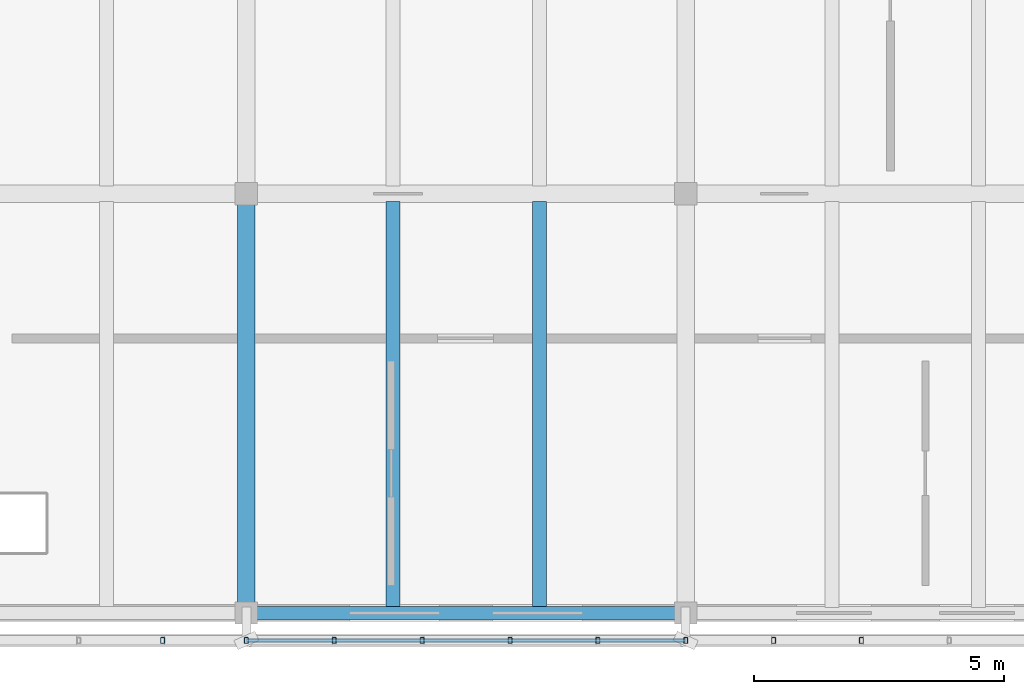
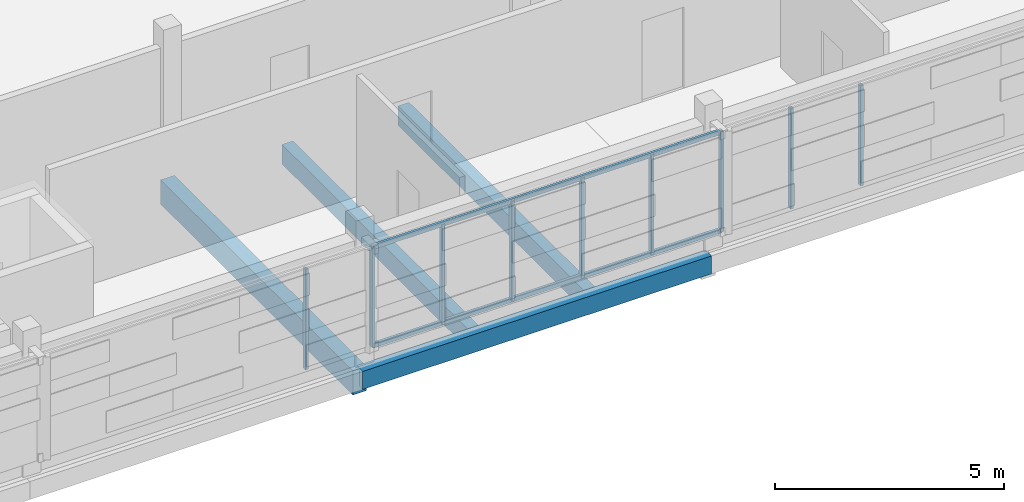
# One storey, part 23 of 117: 11 members, 4 beams.
"""IFC4 building model written with IfcOpenShell, lengths in metres."""

from ifc_helpers import new_model, si_unit, direction, frame, origin, origin_2d, place, context, subcontext, project, spatial, rectangle, hollow_rectangle, extrude, material, material_profile, profile_set, type_object, element, save


model = new_model("IFC4")

# Units and contexts
model_context = context("Model", 3, precision=1e-05, world=origin(), true_north=direction((0.0, 1.0)))
body_context = subcontext(model_context, "Body", "Model", "MODEL_VIEW")
ifc_project = project(units=[si_unit("LENGTHUNIT", "METRE"), si_unit("AREAUNIT", "SQUARE_METRE"), si_unit("VOLUMEUNIT", "CUBIC_METRE"), si_unit("PLANEANGLEUNIT", "RADIAN"), si_unit("MASSUNIT", "GRAM", prefix="KILO")], contexts=[model_context])

# Site, building, storey
site_placement = place(None, origin())
site = spatial("IfcSite", under=ifc_project, at=site_placement, CompositionType="ELEMENT")
building_placement = place(site_placement, origin())
building = spatial("IfcBuilding", under=site, at=building_placement, Name="Cinderway Yard Community Centre", CompositionType="ELEMENT")
storey_placement = place(building_placement, frame((0.0, 0.0, 9.0)))
storey = spatial("IfcBuildingStorey", under=building, at=storey_placement, Name="L02", CompositionType="ELEMENT", Elevation=9.0)

# Members
ifc_material_1 = material(Name="Steel S355", Category="steel")
ifc_material_profile_1 = material_profile(ifc_material_1, hollow_rectangle(XDim=0.080078125, YDim=0.1201171875, WallThickness=0.00634765625, InnerFilletRadius=0.00634765625, OuterFilletRadius=0.0126953125, at=origin_2d()), Name="Steel S355")
ifc_profile_set_1 = profile_set([ifc_material_profile_1], Name="Steel S355")
member_type = type_object("IfcMemberType", Name="ENV-MEM-SCREEN-RAIL-120", PredefinedType="STRINGER", material=ifc_profile_set_1)
for number, where, z_axis, x_axis, name in (
    (1, (73.52001953125, 5.449951171875, 0.68994140625), (0.0, 0.0, 1.0), (1.0, 0.0, 0.0), "Screen vertical mullion 0656"),
    (2, (75.199951171875, 5.449951171875, 0.68994140625), (0.0, 0.0, 1.0), (1.0, 0.0, 0.0), "Screen vertical mullion 0657"),
):
    element("IfcMember", number, at=place(storey_placement, frame(where, z_axis=z_axis, x_axis=x_axis)), inside=storey, type_object=member_type, Name=name, PredefinedType="STRINGER", context=body_context, shape_type="SweptSolid", body=[
        extrude(hollow_rectangle(XDim=0.080078125, YDim=0.1201171875, WallThickness=0.00634765625, InnerFilletRadius=0.00634765625, OuterFilletRadius=0.0126953125, at=origin_2d()), origin(), (0.0, 0.0, 1.0), 2.670166015625),
    ])
for number, where, z_axis, x_axis, name in (
    (3, (75.199951171875, 5.449951171875, 0.7099609375), (1.0, 0.0, 0.0), (0.0, 1.0, 0.0), "Screen support rail 0659-BOT"),
    (4, (75.199951171875, 5.449951171875, 3.340087890625), (1.0, 0.0, 0.0), (0.0, 1.0, 0.0), "Screen support rail 0660-TOP"),
):
    element("IfcMember", number, at=place(storey_placement, frame(where, z_axis=z_axis, x_axis=x_axis)), inside=storey, type_object=member_type, Name=name, PredefinedType="STRINGER", context=body_context, shape_type="SweptSolid", body=[
        extrude(hollow_rectangle(XDim=0.080078125, YDim=0.1201171875, WallThickness=0.00634765625, InnerFilletRadius=0.00634765625, OuterFilletRadius=0.0126953125, at=origin_2d()), origin(), (0.0, 0.0, 1.0), 8.800048828125),
    ])
for number, where, z_axis, x_axis, name in (
    (5, (76.9599609375, 5.449951171875, 0.68994140625), (0.0, 0.0, 1.0), (1.0, 0.0, 0.0), "Screen vertical mullion 0661"),
    (6, (78.719970703125, 5.449951171875, 0.68994140625), (0.0, 0.0, 1.0), (1.0, 0.0, 0.0), "Screen vertical mullion 0662"),
    (7, (80.47998046875, 5.449951171875, 0.68994140625), (0.0, 0.0, 1.0), (1.0, 0.0, 0.0), "Screen vertical mullion 0663"),
    (8, (82.239990234375, 5.449951171875, 0.68994140625), (0.0, 0.0, 1.0), (1.0, 0.0, 0.0), "Screen vertical mullion 0664"),
    (9, (84.0, 5.449951171875, 0.68994140625), (0.0, 0.0, 1.0), (1.0, 0.0, 0.0), "Screen vertical mullion 0665"),
    (10, (85.760009765625, 5.449951171875, 0.68994140625), (0.0, 0.0, 1.0), (1.0, 0.0, 0.0), "Screen vertical mullion 0669"),
    (11, (87.52001953125, 5.449951171875, 0.68994140625), (0.0, 0.0, 1.0), (1.0, 0.0, 0.0), "Screen vertical mullion 0670"),
):
    element("IfcMember", number, at=place(storey_placement, frame(where, z_axis=z_axis, x_axis=x_axis)), inside=storey, type_object=member_type, Name=name, PredefinedType="STRINGER", context=body_context, shape_type="SweptSolid", body=[
        extrude(hollow_rectangle(XDim=0.080078125, YDim=0.1201171875, WallThickness=0.00634765625, InnerFilletRadius=0.00634765625, OuterFilletRadius=0.0126953125, at=origin_2d()), origin(), (0.0, 0.0, 1.0), 2.670166015625),
    ])

# Beams
ifc_material_2 = material(Name="Concrete C40/50", Category="concrete")
ifc_material_profile_2 = material_profile(ifc_material_2, rectangle(XDim=0.260009765625, YDim=0.47998046875, at=origin_2d()), Name="Concrete C40/50")
ifc_profile_set_2 = profile_set([ifc_material_profile_2], Name="Concrete C40/50")
beam_type_1 = type_object("IfcBeamType", Name="STR-BM-RC260X480", PredefinedType="SPANDREL", material=ifc_profile_set_2)
beam_1_placement = place(storey_placement, frame((75.199951171875, 6.0, -0.47998046875), z_axis=(1.0, 0.0, 0.0), x_axis=(0.0, 1.0, 0.0)))
element("IfcBeam", 12, at=beam_1_placement, inside=storey, type_object=beam_type_1, Name="Primary girder STR-BM-L02-SP01-0437", PredefinedType="SPANDREL", context=body_context, shape_type="SweptSolid", body=[
    extrude(rectangle(XDim=0.260009765625, YDim=0.47998046875, at=origin_2d()), origin(), (0.0, 0.0, 1.0), 8.800048828125),
])
ifc_material_3 = material(Name="Concrete C35/45", Category="concrete")
ifc_material_profile_3 = material_profile(ifc_material_3, rectangle(XDim=0.280029296875, YDim=0.52001953125, at=origin_2d()), Name="Concrete C35/45")
ifc_profile_set_3 = profile_set([ifc_material_profile_3], Name="Concrete C35/45")
beam_type_2 = type_object("IfcBeamType", Name="STR-BM-RC280X520", PredefinedType="JOIST", material=ifc_profile_set_3)
for number, where, z_axis, x_axis, name in (
    (13, (78.133056640625, 6.112060546875, -0.5), (0.0, 1.0, 0.0), (-1.0, 0.0, 0.0), "Secondary joist STR-BM-L02-BJ04-0477"),
    (14, (81.06689453125, 6.112060546875, -0.5), (0.0, 1.0, 0.0), (-1.0, 0.0, 0.0), "Secondary joist STR-BM-L02-BJ04-0478"),
):
    element("IfcBeam", number, at=place(storey_placement, frame(where, z_axis=z_axis, x_axis=x_axis)), inside=storey, type_object=beam_type_2, Name=name, PredefinedType="JOIST", context=body_context, shape_type="SweptSolid", body=[
        extrude(rectangle(XDim=0.280029296875, YDim=0.52001953125, at=origin_2d()), origin(), (0.0, 0.0, 1.0), 8.130859375),
    ])
ifc_material_profile_4 = material_profile(ifc_material_3, rectangle(XDim=0.35009765625, YDim=0.64990234375, at=origin_2d()), Name="Concrete C35/45")
ifc_profile_set_4 = profile_set([ifc_material_profile_4], Name="Concrete C35/45")
beam_type_3 = type_object("IfcBeamType", Name="STR-BM-RC350X650", PredefinedType="BEAM", material=ifc_profile_set_4)
beam_2_placement = place(storey_placement, frame((75.199951171875, 6.0, -0.56494140625), z_axis=(0.0, 1.0, 0.0), x_axis=(-1.0, 0.0, 0.0)))
element("IfcBeam", 15, at=beam_2_placement, inside=storey, type_object=beam_type_3, Name="Transverse girder STR-BM-L02-BG08-0459", PredefinedType="BEAM", context=body_context, shape_type="SweptSolid", body=[
    extrude(rectangle(XDim=0.35009765625, YDim=0.64990234375, at=origin_2d()), origin(), (0.0, 0.0, 1.0), 8.39990234375),
])

save(model, "model.ifc")
